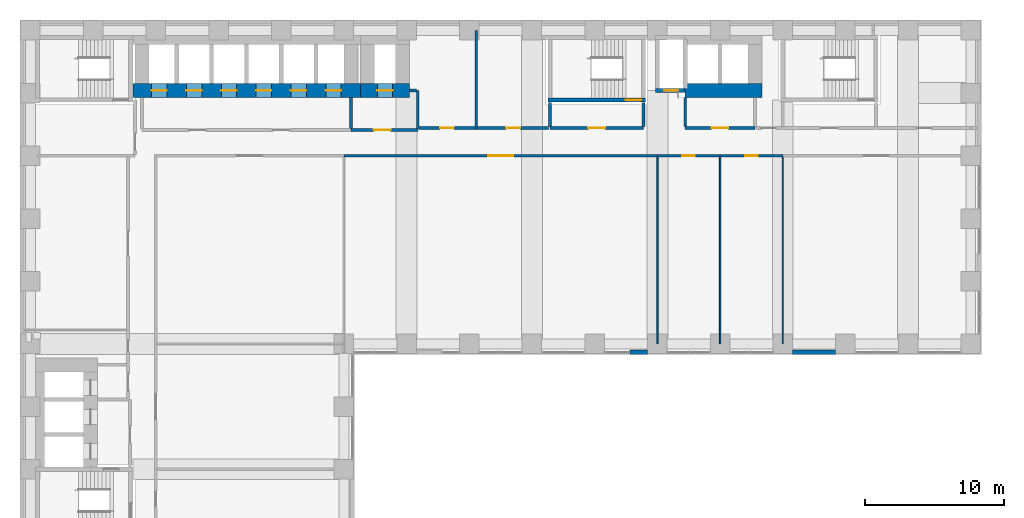
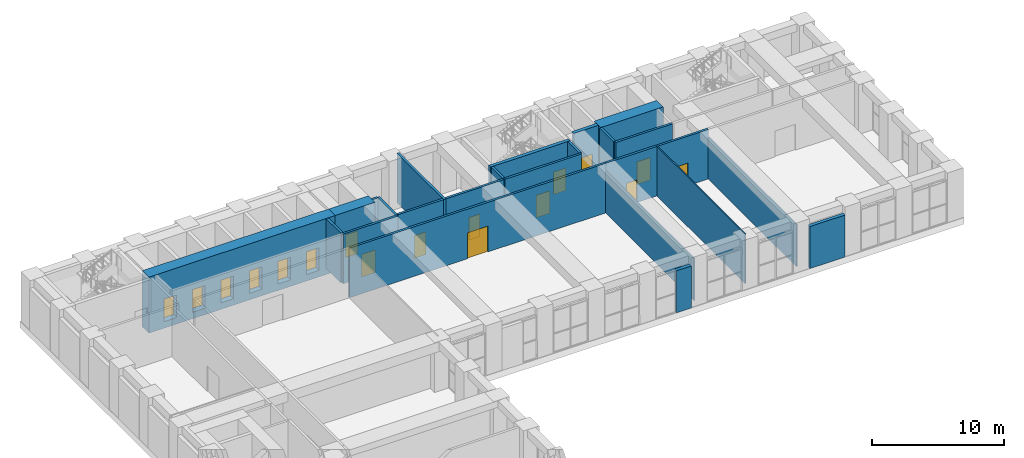
# One storey, part 17 of 30: 25 walls, 17 doors, 17 openings.
"""IFC4 building model written with IfcOpenShell, lengths in metres."""

from ifc_helpers import new_model, si_unit, direction, frame, frame_2d, origin, place, context, subcontext, project, spatial, rectangle, extrude, material, layer, layer_set, type_object, element, fill, save


model = new_model("IFC4")

# Units and contexts
model_context = context("Model", 3, precision=1e-05, world=origin(), true_north=direction((0.0, 1.0)))
body_context = subcontext(model_context, "Body", "Model", "MODEL_VIEW")
ifc_project = project(units=[si_unit("LENGTHUNIT", "METRE"), si_unit("AREAUNIT", "SQUARE_METRE"), si_unit("VOLUMEUNIT", "CUBIC_METRE"), si_unit("PLANEANGLEUNIT", "RADIAN"), si_unit("MASSUNIT", "GRAM", prefix="KILO")], contexts=[model_context])

# Site, building, storey
site_placement = place(None, origin())
site = spatial("IfcSite", under=ifc_project, at=site_placement, CompositionType="ELEMENT")
building_placement = place(site_placement, origin())
building = spatial("IfcBuilding", under=site, at=building_placement, Name="Firuza Court", CompositionType="ELEMENT")
storey_placement = place(building_placement, frame((0.0, 0.0, 9.0)))
storey = spatial("IfcBuildingStorey", under=building, at=storey_placement, Name="L01", CompositionType="ELEMENT", Elevation=9.0)

# Wall, openings, doors
ifc_material_1 = material(Name="Concrete C60/75", Category="concrete")
ifc_layer_1 = layer(ifc_material_1, 1.0)
ifc_layer_set_1 = layer_set([ifc_layer_1], Name="Concrete C60/75")
wall_type_1 = type_object("IfcWallType", Name="Core wall 1000 C60/75", PredefinedType="SHEAR", material=ifc_layer_set_1)
wall_1_placement = place(storey_placement, frame((7.35009765625, 54.199951171875, -0.60009765625), z_axis=(0.0, 0.0, 1.0), x_axis=(1.0, 0.0, 0.0)))
wall_1 = element("IfcWall", 1, at=wall_1_placement, inside=storey, type_object=wall_type_1, Name="Core wall lift shaft L01", PredefinedType="SHEAR", context=body_context, shape_type="SweptSolid", body=[
    extrude(rectangle(XDim=16.349853515625, YDim=1.0, at=frame_2d((8.1748046875, 0.0))), origin(), (0.0, 0.0, 1.0), 5.2001953125),
])
opening_1_placement = place(wall_1_placement, frame((1.35009765625, 0.0, 0.60009765625)))
opening_1 = element("IfcOpeningElement", 2, at=opening_1_placement, cuts=wall_1, Name="Opening LD-LB1-01", PredefinedType="OPENING", context=body_context, shape_type="SweptSolid", body=[
    extrude(rectangle(XDim=1.10009765625, YDim=2.10009765625, at=frame_2d((0.550048828125, 1.050048828125))), frame((0.0, 0.511962890625, 0.0), z_axis=(0.0, -1.0, 0.0), x_axis=(1.0, 0.0, 0.0)), (0.0, 0.0, 1.0), 1.02392578125),
])
opening_2_placement = place(wall_1_placement, frame((3.85009765625, 0.0, 0.60009765625)))
opening_2 = element("IfcOpeningElement", 3, at=opening_2_placement, cuts=wall_1, Name="Opening LD-LB2-01", PredefinedType="OPENING", context=body_context, shape_type="SweptSolid", body=[
    extrude(rectangle(XDim=1.10009765625, YDim=2.10009765625, at=frame_2d((0.550048828125, 1.050048828125))), frame((0.0, 0.511962890625, 0.0), z_axis=(0.0, -1.0, 0.0), x_axis=(1.0, 0.0, 0.0)), (0.0, 0.0, 1.0), 1.02392578125),
])
opening_3_placement = place(wall_1_placement, frame((6.35009765625, 0.0, 0.60009765625)))
opening_3 = element("IfcOpeningElement", 4, at=opening_3_placement, cuts=wall_1, Name="Opening LD-LB3-01", PredefinedType="OPENING", context=body_context, shape_type="SweptSolid", body=[
    extrude(rectangle(XDim=1.10009765625, YDim=2.10009765625, at=frame_2d((0.550048828125, 1.050048828125))), frame((0.0, 0.511962890625, 0.0), z_axis=(0.0, -1.0, 0.0), x_axis=(1.0, 0.0, 0.0)), (0.0, 0.0, 1.0), 1.02392578125),
])
opening_4_placement = place(wall_1_placement, frame((8.85009765625, 0.0, 0.60009765625)))
opening_4 = element("IfcOpeningElement", 5, at=opening_4_placement, cuts=wall_1, Name="Opening LD-LB4-01", PredefinedType="OPENING", context=body_context, shape_type="SweptSolid", body=[
    extrude(rectangle(XDim=1.10009765625, YDim=2.10009765625, at=frame_2d((0.550048828125, 1.050048828125))), frame((0.0, 0.511962890625, 0.0), z_axis=(0.0, -1.0, 0.0), x_axis=(1.0, 0.0, 0.0)), (0.0, 0.0, 1.0), 1.02392578125),
])
opening_5_placement = place(wall_1_placement, frame((11.35009765625, 0.0, 0.60009765625)))
opening_5 = element("IfcOpeningElement", 6, at=opening_5_placement, cuts=wall_1, Name="Opening LD-LB5-01", PredefinedType="OPENING", context=body_context, shape_type="SweptSolid", body=[
    extrude(rectangle(XDim=1.10009765625, YDim=2.10009765625, at=frame_2d((0.550048828125, 1.050048828125))), frame((0.0, 0.511962890625, 0.0), z_axis=(0.0, -1.0, 0.0), x_axis=(1.0, 0.0, 0.0)), (0.0, 0.0, 1.0), 1.02392578125),
])
opening_6_placement = place(wall_1_placement, frame((13.85009765625, 0.0, 0.60009765625)))
opening_6 = element("IfcOpeningElement", 7, at=opening_6_placement, cuts=wall_1, Name="Opening LD-LB6-01", PredefinedType="OPENING", context=body_context, shape_type="SweptSolid", body=[
    extrude(rectangle(XDim=1.10009765625, YDim=2.10009765625, at=frame_2d((0.550048828125, 1.050048828125))), frame((0.0, 0.511962890625, 0.0), z_axis=(0.0, -1.0, 0.0), x_axis=(1.0, 0.0, 0.0)), (0.0, 0.0, 1.0), 1.02392578125),
])
ifc_material_2 = material(Name="Stainless steel 1.4301 door leaf", Category="steel")
door_type_1 = type_object("IfcDoorType", Name="Lift landing door 1100", OperationType="SLIDING_TO_LEFT", PredefinedType="DOOR", material=ifc_material_2)
door_1_placement = place(opening_1_placement, origin())
door_1 = element("IfcDoor", 8, at=door_1_placement, inside=storey, type_object=door_type_1, Name="Landing door LB1", OperationType="SLIDING_TO_LEFT", OverallHeight=2.10009765625, OverallWidth=1.10009765625, PredefinedType="DOOR", context=body_context, shape_type="SweptSolid", body=[
    extrude(rectangle(XDim=1.10009765625, YDim=2.10009765625, at=frame_2d((0.550048828125, 1.050048828125))), frame((0.0, 0.02490234375, 0.0), z_axis=(0.0, -1.0, 0.0), x_axis=(1.0, 0.0, 0.0)), (0.0, 0.0, 1.0), 0.050048828125),
])
fill(opening_1, door_1)
door_2_placement = place(opening_2_placement, origin())
door_2 = element("IfcDoor", 9, at=door_2_placement, inside=storey, type_object=door_type_1, Name="Landing door LB2", OperationType="SLIDING_TO_LEFT", OverallHeight=2.10009765625, OverallWidth=1.10009765625, PredefinedType="DOOR", context=body_context, shape_type="SweptSolid", body=[
    extrude(rectangle(XDim=1.10009765625, YDim=2.10009765625, at=frame_2d((0.550048828125, 1.050048828125))), frame((0.0, 0.02490234375, 0.0), z_axis=(0.0, -1.0, 0.0), x_axis=(1.0, 0.0, 0.0)), (0.0, 0.0, 1.0), 0.050048828125),
])
fill(opening_2, door_2)
door_3_placement = place(opening_3_placement, origin())
door_3 = element("IfcDoor", 10, at=door_3_placement, inside=storey, type_object=door_type_1, Name="Landing door LB3", OperationType="SLIDING_TO_LEFT", OverallHeight=2.10009765625, OverallWidth=1.10009765625, PredefinedType="DOOR", context=body_context, shape_type="SweptSolid", body=[
    extrude(rectangle(XDim=1.10009765625, YDim=2.10009765625, at=frame_2d((0.550048828125, 1.050048828125))), frame((0.0, 0.02490234375, 0.0), z_axis=(0.0, -1.0, 0.0), x_axis=(1.0, 0.0, 0.0)), (0.0, 0.0, 1.0), 0.050048828125),
])
fill(opening_3, door_3)
door_4_placement = place(opening_4_placement, origin())
door_4 = element("IfcDoor", 11, at=door_4_placement, inside=storey, type_object=door_type_1, Name="Landing door LB4", OperationType="SLIDING_TO_LEFT", OverallHeight=2.10009765625, OverallWidth=1.10009765625, PredefinedType="DOOR", context=body_context, shape_type="SweptSolid", body=[
    extrude(rectangle(XDim=1.10009765625, YDim=2.10009765625, at=frame_2d((0.550048828125, 1.050048828125))), frame((0.0, 0.02490234375, 0.0), z_axis=(0.0, -1.0, 0.0), x_axis=(1.0, 0.0, 0.0)), (0.0, 0.0, 1.0), 0.050048828125),
])
fill(opening_4, door_4)
door_5_placement = place(opening_5_placement, origin())
door_5 = element("IfcDoor", 12, at=door_5_placement, inside=storey, type_object=door_type_1, Name="Landing door LB5", OperationType="SLIDING_TO_LEFT", OverallHeight=2.10009765625, OverallWidth=1.10009765625, PredefinedType="DOOR", context=body_context, shape_type="SweptSolid", body=[
    extrude(rectangle(XDim=1.10009765625, YDim=2.10009765625, at=frame_2d((0.550048828125, 1.050048828125))), frame((0.0, 0.02490234375, 0.0), z_axis=(0.0, -1.0, 0.0), x_axis=(1.0, 0.0, 0.0)), (0.0, 0.0, 1.0), 0.050048828125),
])
fill(opening_5, door_5)
door_6_placement = place(opening_6_placement, origin())
door_6 = element("IfcDoor", 13, at=door_6_placement, inside=storey, type_object=door_type_1, Name="Landing door LB6", OperationType="SLIDING_TO_LEFT", OverallHeight=2.10009765625, OverallWidth=1.10009765625, PredefinedType="DOOR", context=body_context, shape_type="SweptSolid", body=[
    extrude(rectangle(XDim=1.10009765625, YDim=2.10009765625, at=frame_2d((0.550048828125, 1.050048828125))), frame((0.0, 0.02490234375, 0.0), z_axis=(0.0, -1.0, 0.0), x_axis=(1.0, 0.0, 0.0)), (0.0, 0.0, 1.0), 0.050048828125),
])
fill(opening_6, door_6)

# Wall, opening, door
wall_2_placement = place(storey_placement, frame((23.699951171875, 54.199951171875, -0.60009765625), z_axis=(0.0, 0.0, 1.0), x_axis=(1.0, 0.0, 0.0)))
wall_2 = element("IfcWall", 14, at=wall_2_placement, inside=storey, type_object=wall_type_1, Name="Core wall lift shaft L01", PredefinedType="SHEAR", context=body_context, shape_type="SweptSolid", body=[
    extrude(rectangle(XDim=3.5, YDim=1.0, at=frame_2d((1.75, 0.0))), origin(), (0.0, 0.0, 1.0), 5.2001953125),
])
opening_7_placement = place(wall_2_placement, frame((1.199951171875, 0.0, 0.60009765625)))
opening_7 = element("IfcOpeningElement", 15, at=opening_7_placement, cuts=wall_2, Name="Opening LD-FL3-01", PredefinedType="OPENING", context=body_context, shape_type="SweptSolid", body=[
    extrude(rectangle(XDim=1.10009765625, YDim=2.10009765625, at=frame_2d((0.550048828125, 1.050048828125))), frame((0.0, 0.511962890625, 0.0), z_axis=(0.0, -1.0, 0.0), x_axis=(1.0, 0.0, 0.0)), (0.0, 0.0, 1.0), 1.02392578125),
])
door_7_placement = place(opening_7_placement, origin())
door_7 = element("IfcDoor", 16, at=door_7_placement, inside=storey, type_object=door_type_1, Name="Landing door FL3", OperationType="SLIDING_TO_LEFT", OverallHeight=2.10009765625, OverallWidth=1.10009765625, PredefinedType="DOOR", context=body_context, shape_type="SweptSolid", body=[
    extrude(rectangle(XDim=1.10009765625, YDim=2.10009765625, at=frame_2d((0.550048828125, 1.050048828125))), frame((0.0, 0.02490234375, 0.0), z_axis=(0.0, -1.0, 0.0), x_axis=(1.0, 0.0, 0.0)), (0.0, 0.0, 1.0), 0.050048828125),
])
fill(opening_7, door_7)

# Wall
wall_3_placement = place(storey_placement, frame((47.0, 54.199951171875, -0.60009765625), z_axis=(0.0, 0.0, 1.0), x_axis=(1.0, 0.0, 0.0)))
element("IfcWall", 17, at=wall_3_placement, inside=storey, type_object=wall_type_1, Name="Core wall lift shaft L01", PredefinedType="SHEAR", context=body_context, shape_type="SweptSolid", body=[
    extrude(rectangle(XDim=5.5, YDim=1.0, at=frame_2d((2.75, 0.0))), origin(), (0.0, 0.0, 1.0), 5.2001953125),
])

# Wall, opening, door
ifc_layer_2 = layer(ifc_material_1, 0.300048828125)
ifc_layer_set_2 = layer_set([ifc_layer_2], Name="Concrete C60/75")
wall_type_2 = type_object("IfcWallType", Name="Core wall 300 C60/75", PredefinedType="SHEAR", material=ifc_layer_set_2)
wall_4_placement = place(storey_placement, frame((37.14990234375, 53.5, -0.60009765625), z_axis=(0.0, 0.0, 1.0), x_axis=(1.0, 0.0, 0.0)))
wall_4 = element("IfcWall", 18, at=wall_4_placement, inside=storey, type_object=wall_type_2, Name="Core wall stair L01", PredefinedType="SHEAR", context=body_context, shape_type="SweptSolid", body=[
    extrude(rectangle(XDim=7.0, YDim=0.300048828125, at=frame_2d((3.5, 0.0))), origin(), (0.0, 0.0, 1.0), 5.2001953125),
])
opening_8_placement = place(wall_4_placement, frame((5.580078125, 0.0, 0.60009765625)))
opening_8 = element("IfcOpeningElement", 19, at=opening_8_placement, cuts=wall_4, Name="Opening D01013", PredefinedType="OPENING", context=body_context, shape_type="SweptSolid", body=[
    extrude(rectangle(XDim=1.10009765625, YDim=2.10009765625, at=frame_2d((0.550048828125, 1.050048828125))), frame((0.0, 0.162109375, 0.0), z_axis=(0.0, -1.0, 0.0), x_axis=(1.0, 0.0, 0.0)), (0.0, 0.0, 1.0), 0.323974609375),
])
ifc_material_3 = material(Name="Timber door leaf in hardwood frame", Category="wood")
door_type_2 = type_object("IfcDoorType", Name="Stair door 1100", OperationType="SINGLE_SWING_LEFT", PredefinedType="DOOR", material=ifc_material_3)
door_8_placement = place(opening_8_placement, origin())
door_8 = element("IfcDoor", 20, at=door_8_placement, inside=storey, type_object=door_type_2, Name="Stair door S1", OperationType="SINGLE_SWING_RIGHT", OverallHeight=2.10009765625, OverallWidth=1.10009765625, PredefinedType="DOOR", context=body_context, shape_type="SweptSolid", body=[
    extrude(rectangle(XDim=1.10009765625, YDim=2.10009765625, at=frame_2d((0.550048828125, 1.050048828125))), frame((0.0, 0.02490234375, 0.0), z_axis=(0.0, -1.0, 0.0), x_axis=(1.0, 0.0, 0.0)), (0.0, 0.0, 1.0), 0.050048828125),
])
fill(opening_8, door_8)

wall_5_placement = place(storey_placement, frame((44.85009765625, 54.199951171875, -0.60009765625), z_axis=(0.0, 0.0, 1.0), x_axis=(1.0, 0.0, 0.0)))
wall_5 = element("IfcWall", 21, at=wall_5_placement, inside=storey, type_object=wall_type_2, Name="Core wall riser L01", PredefinedType="SHEAR", context=body_context, shape_type="SweptSolid", body=[
    extrude(rectangle(XDim=2.14990234375, YDim=0.300048828125, at=frame_2d((1.074951171875, 0.0))), origin(), (0.0, 0.0, 1.0), 5.2001953125),
])
opening_9_placement = place(wall_5_placement, frame((0.64990234375, 0.0, 0.60009765625)))
opening_9 = element("IfcOpeningElement", 22, at=opening_9_placement, cuts=wall_5, Name="Opening D01011", PredefinedType="OPENING", context=body_context, shape_type="SweptSolid", body=[
    extrude(rectangle(XDim=1.0, YDim=2.10009765625, at=frame_2d((0.5, 1.050048828125))), frame((0.0, 0.162109375, 0.0), z_axis=(0.0, -1.0, 0.0), x_axis=(1.0, 0.0, 0.0)), (0.0, 0.0, 1.0), 0.323974609375),
])
ifc_material_4 = material(Name="Timber door leaf in hardwood frame", Category="wood")
door_type_3 = type_object("IfcDoorType", Name="Riser door 1000", OperationType="SINGLE_SWING_LEFT", PredefinedType="DOOR", material=ifc_material_4)
door_9_placement = place(opening_9_placement, frame((1.0, 0.0, 0.0), z_axis=(0.0, 0.0, 1.0), x_axis=(-1.0, 0.0, 0.0)))
door_9 = element("IfcDoor", 23, at=door_9_placement, inside=storey, type_object=door_type_3, Name="Riser door R3", OperationType="SINGLE_SWING_RIGHT", OverallHeight=2.10009765625, OverallWidth=1.0, PredefinedType="DOOR", context=body_context, shape_type="SweptSolid", body=[
    extrude(rectangle(XDim=1.0, YDim=2.10009765625, at=frame_2d((0.5, 1.050048828125))), frame((0.0, 0.02490234375, 0.0), z_axis=(0.0, -1.0, 0.0), x_axis=(1.0, 0.0, 0.0)), (0.0, 0.0, 1.0), 0.050048828125),
])
fill(opening_9, door_9)

ifc_material_5 = material(Name="Blockwork, plastered both sides", Category="masonry")
ifc_layer_3 = layer(ifc_material_5, 0.199951171875)
ifc_layer_set_3 = layer_set([ifc_layer_3], Name="Blockwork, plastered both sides")
wall_type_3 = type_object("IfcWallType", Name="Corridor wall 200", PredefinedType="PARTITIONING", material=ifc_layer_set_3)
wall_6_placement = place(storey_placement, frame((22.5, 49.5, 0.0), z_axis=(0.0, 0.0, 1.0), x_axis=(1.0, 0.0, 0.0)))
wall_6 = element("IfcWall", 24, at=wall_6_placement, inside=storey, type_object=wall_type_3, Name="Corridor wall 200 L01", PredefinedType="PARTITIONING", context=body_context, shape_type="SweptSolid", body=[
    extrude(rectangle(XDim=22.5, YDim=0.199951171875, at=frame_2d((11.25, 0.0))), origin(), (0.0, 0.0, 1.0), 4.60009765625),
])
opening_10_placement = place(wall_6_placement, frame((10.35009765625, 0.0, 0.0)))
opening_10 = element("IfcOpeningElement", 25, at=opening_10_placement, cuts=wall_6, Name="Opening D01030", PredefinedType="OPENING", context=body_context, shape_type="SweptSolid", body=[
    extrude(rectangle(XDim=1.800048828125, YDim=2.39990234375, at=frame_2d((0.89990234375, 1.199951171875))), frame((0.0, 0.11181640625, 0.0), z_axis=(0.0, -1.0, 0.0), x_axis=(1.0, 0.0, 0.0)), (0.0, 0.0, 1.0), 0.223876953125),
])
ifc_material_6 = material(Name="Timber door leaf in hardwood frame", Category="wood")
door_type_4 = type_object("IfcDoorType", Name="Double door 1800 EI 30", OperationType="DOUBLE_DOOR_SINGLE_SWING", PredefinedType="DOOR", material=ifc_material_6)
door_10_placement = place(opening_10_placement, origin())
door_10 = element("IfcDoor", 26, at=door_10_placement, inside=storey, type_object=door_type_4, Name="Double door", OperationType="DOUBLE_DOOR_SINGLE_SWING", OverallHeight=2.39990234375, OverallWidth=1.800048828125, PredefinedType="DOOR", context=body_context, shape_type="SweptSolid", body=[
    extrude(rectangle(XDim=1.800048828125, YDim=2.39990234375, at=frame_2d((0.89990234375, 1.199951171875))), frame((0.0, 0.02490234375, 0.0), z_axis=(0.0, -1.0, 0.0), x_axis=(1.0, 0.0, 0.0)), (0.0, 0.0, 1.0), 0.050048828125),
])
fill(opening_10, door_10)

wall_7_placement = place(storey_placement, frame((45.0, 49.5, 0.0), z_axis=(0.0, 0.0, 1.0), x_axis=(1.0, 0.0, 0.0)))
wall_7 = element("IfcWall", 27, at=wall_7_placement, inside=storey, type_object=wall_type_3, Name="Corridor wall 200 L01", PredefinedType="PARTITIONING", context=body_context, shape_type="SweptSolid", body=[
    extrude(rectangle(XDim=4.5, YDim=0.199951171875, at=frame_2d((2.25, 0.0))), origin(), (0.0, 0.0, 1.0), 4.60009765625),
])
opening_11_placement = place(wall_7_placement, frame((1.800048828125, 0.0, 0.0)))
opening_11 = element("IfcOpeningElement", 28, at=opening_11_placement, cuts=wall_7, Name="Opening D01031", PredefinedType="OPENING", context=body_context, shape_type="SweptSolid", body=[
    extrude(rectangle(XDim=0.89990234375, YDim=2.10009765625, at=frame_2d((0.449951171875, 1.050048828125))), frame((0.0, 0.11181640625, 0.0), z_axis=(0.0, -1.0, 0.0), x_axis=(1.0, 0.0, 0.0)), (0.0, 0.0, 1.0), 0.223876953125),
])
ifc_material_7 = material(Name="Timber door leaf in hardwood frame", Category="wood")
door_type_5 = type_object("IfcDoorType", Name="Room door 900 EI 30", OperationType="SINGLE_SWING_LEFT", PredefinedType="DOOR", material=ifc_material_7)
door_11_placement = place(opening_11_placement, frame((0.89990234375, 0.0, 0.0), z_axis=(0.0, 0.0, 1.0), x_axis=(-1.0, 0.0, 0.0)))
door_11 = element("IfcDoor", 29, at=door_11_placement, inside=storey, type_object=door_type_5, Name="Room door", OperationType="SINGLE_SWING_RIGHT", OverallHeight=2.10009765625, OverallWidth=0.89990234375, PredefinedType="DOOR", context=body_context, shape_type="SweptSolid", body=[
    extrude(rectangle(XDim=0.89990234375, YDim=2.10009765625, at=frame_2d((0.449951171875, 1.050048828125))), frame((0.0, 0.02490234375, 0.0), z_axis=(0.0, -1.0, 0.0), x_axis=(1.0, 0.0, 0.0)), (0.0, 0.0, 1.0), 0.050048828125),
])
fill(opening_11, door_11)

wall_8_placement = place(storey_placement, frame((49.5, 49.5, 0.0), z_axis=(0.0, 0.0, 1.0), x_axis=(1.0, 0.0, 0.0)))
wall_8 = element("IfcWall", 30, at=wall_8_placement, inside=storey, type_object=wall_type_3, Name="Corridor wall 200 L01", PredefinedType="PARTITIONING", context=body_context, shape_type="SweptSolid", body=[
    extrude(rectangle(XDim=4.5, YDim=0.199951171875, at=frame_2d((2.25, 0.0))), origin(), (0.0, 0.0, 1.0), 4.60009765625),
])
opening_12_placement = place(wall_8_placement, frame((1.800048828125, 0.0, 0.0)))
opening_12 = element("IfcOpeningElement", 31, at=opening_12_placement, cuts=wall_8, Name="Opening D01032", PredefinedType="OPENING", context=body_context, shape_type="SweptSolid", body=[
    extrude(rectangle(XDim=0.89990234375, YDim=2.10009765625, at=frame_2d((0.449951171875, 1.050048828125))), frame((0.0, 0.11181640625, 0.0), z_axis=(0.0, -1.0, 0.0), x_axis=(1.0, 0.0, 0.0)), (0.0, 0.0, 1.0), 0.223876953125),
])
door_12_placement = place(opening_12_placement, frame((0.89990234375, 0.0, 0.0), z_axis=(0.0, 0.0, 1.0), x_axis=(-1.0, 0.0, 0.0)))
door_12 = element("IfcDoor", 32, at=door_12_placement, inside=storey, type_object=door_type_5, Name="Room door", OperationType="SINGLE_SWING_RIGHT", OverallHeight=2.10009765625, OverallWidth=0.89990234375, PredefinedType="DOOR", context=body_context, shape_type="SweptSolid", body=[
    extrude(rectangle(XDim=0.89990234375, YDim=2.10009765625, at=frame_2d((0.449951171875, 1.050048828125))), frame((0.0, 0.02490234375, 0.0), z_axis=(0.0, -1.0, 0.0), x_axis=(1.0, 0.0, 0.0)), (0.0, 0.0, 1.0), 0.050048828125),
])
fill(opening_12, door_12)

# Walls
ifc_material_8 = material(Name="Timber stud partition, plasterboard both sides", Category="wood")
ifc_layer_4 = layer(ifc_material_8, 0.10009765625)
ifc_layer_set_4 = layer_set([ifc_layer_4], Name="Timber stud partition, plasterboard both sides")
wall_type_4 = type_object("IfcWallType", Name="Partition wall 100", PredefinedType="PARTITIONING", material=ifc_layer_set_4)
wall_9_placement = place(storey_placement, frame((45.0, 49.39990234375, 0.0), z_axis=(0.0, 0.0, 1.0), x_axis=(0.0, -1.0, 0.0)))
element("IfcWall", 33, at=wall_9_placement, inside=storey, type_object=wall_type_4, Name="Partition wall 100 L01", PredefinedType="PARTITIONING", context=body_context, shape_type="SweptSolid", body=[
    extrude(rectangle(XDim=13.39990234375, YDim=0.10009765625, at=frame_2d((6.699951171875, 0.0))), origin(), (0.0, 0.0, 1.0), 3.89990234375),
])
wall_10_placement = place(storey_placement, frame((49.5, 49.39990234375, 0.0), z_axis=(0.0, 0.0, 1.0), x_axis=(0.0, -1.0, 0.0)))
element("IfcWall", 34, at=wall_10_placement, inside=storey, type_object=wall_type_4, Name="Partition wall 100 L01", PredefinedType="PARTITIONING", context=body_context, shape_type="SweptSolid", body=[
    extrude(rectangle(XDim=13.39990234375, YDim=0.10009765625, at=frame_2d((6.699951171875, 0.0))), origin(), (0.0, 0.0, 1.0), 4.60009765625),
])
wall_11_placement = place(storey_placement, frame((54.0, 49.39990234375, 0.0), z_axis=(0.0, 0.0, 1.0), x_axis=(0.0, -1.0, 0.0)))
element("IfcWall", 35, at=wall_11_placement, inside=storey, type_object=wall_type_4, Name="Partition wall 100 L01", PredefinedType="PARTITIONING", context=body_context, shape_type="SweptSolid", body=[
    extrude(rectangle(XDim=13.39990234375, YDim=0.10009765625, at=frame_2d((6.699951171875, 0.0))), origin(), (0.0, 0.0, 1.0), 3.89990234375),
])

# Wall, opening, door
ifc_material_9 = material(Name="Blockwork, fire-rated", Category="masonry")
ifc_layer_5 = layer(ifc_material_9, 0.199951171875)
ifc_layer_set_5 = layer_set([ifc_layer_5], Name="Blockwork, fire-rated")
wall_type_5 = type_object("IfcWallType", Name="Plant room wall 200", PredefinedType="PARTITIONING", material=ifc_layer_set_5)
wall_12_placement = place(storey_placement, frame((31.89990234375, 51.5, 0.0), z_axis=(0.0, 0.0, 1.0), x_axis=(-1.0, 0.0, 0.0)))
wall_12 = element("IfcWall", 36, at=wall_12_placement, inside=storey, type_object=wall_type_5, Name="Plant room wall 200 L01", PredefinedType="PARTITIONING", context=body_context, shape_type="SweptSolid", body=[
    extrude(rectangle(XDim=4.0, YDim=0.199951171875, at=frame_2d((2.0, 0.0))), origin(), (0.0, 0.0, 1.0), 4.60009765625),
])
opening_13_placement = place(wall_12_placement, frame((1.5, 0.0, 0.0)))
opening_13 = element("IfcOpeningElement", 37, at=opening_13_placement, cuts=wall_12, Name="Opening D01034", PredefinedType="OPENING", context=body_context, shape_type="SweptSolid", body=[
    extrude(rectangle(XDim=1.0, YDim=2.10009765625, at=frame_2d((0.5, 1.050048828125))), frame((0.0, 0.11181640625, 0.0), z_axis=(0.0, -1.0, 0.0), x_axis=(1.0, 0.0, 0.0)), (0.0, 0.0, 1.0), 0.223876953125),
])
ifc_material_10 = material(Name="Timber door leaf in hardwood frame", Category="wood")
door_type_6 = type_object("IfcDoorType", Name="Store door 1000", OperationType="SINGLE_SWING_LEFT", PredefinedType="DOOR", material=ifc_material_10)
door_13_placement = place(opening_13_placement, frame((1.0, 0.0, 0.0), z_axis=(0.0, 0.0, 1.0), x_axis=(-1.0, 0.0, 0.0)))
door_13 = element("IfcDoor", 38, at=door_13_placement, inside=storey, type_object=door_type_6, Name="Store door", OperationType="SINGLE_SWING_RIGHT", OverallHeight=2.10009765625, OverallWidth=1.0, PredefinedType="DOOR", context=body_context, shape_type="SweptSolid", body=[
    extrude(rectangle(XDim=1.0, YDim=2.10009765625, at=frame_2d((0.5, 1.050048828125))), frame((0.0, 0.02490234375, 0.0), z_axis=(0.0, -1.0, 0.0), x_axis=(1.0, 0.0, 0.0)), (0.0, 0.0, 1.0), 0.050048828125),
])
fill(opening_13, door_13)

wall_13_placement = place(storey_placement, frame((37.199951171875, 51.5, 0.0), z_axis=(0.0, 0.0, 1.0), x_axis=(-1.0, 0.0, 0.0)))
wall_13 = element("IfcWall", 39, at=wall_13_placement, inside=storey, type_object=wall_type_5, Name="Plant room wall 200 L01", PredefinedType="PARTITIONING", context=body_context, shape_type="SweptSolid", body=[
    extrude(rectangle(XDim=5.099853515625, YDim=0.199951171875, at=frame_2d((2.5498046875, 0.0))), origin(), (0.0, 0.0, 1.0), 4.60009765625),
])
opening_14_placement = place(wall_13_placement, frame((2.050048828125, 0.0, 0.0)))
opening_14 = element("IfcOpeningElement", 40, at=opening_14_placement, cuts=wall_13, Name="Opening D01035", PredefinedType="OPENING", context=body_context, shape_type="SweptSolid", body=[
    extrude(rectangle(XDim=1.0, YDim=2.10009765625, at=frame_2d((0.5, 1.050048828125))), frame((0.0, 0.11181640625, 0.0), z_axis=(0.0, -1.0, 0.0), x_axis=(1.0, 0.0, 0.0)), (0.0, 0.0, 1.0), 0.223876953125),
])
door_14_placement = place(opening_14_placement, frame((1.0, 0.0, 0.0), z_axis=(0.0, 0.0, 1.0), x_axis=(-1.0, 0.0, 0.0)))
door_14 = element("IfcDoor", 41, at=door_14_placement, inside=storey, type_object=door_type_6, Name="Store door", OperationType="SINGLE_SWING_RIGHT", OverallHeight=2.10009765625, OverallWidth=1.0, PredefinedType="DOOR", context=body_context, shape_type="SweptSolid", body=[
    extrude(rectangle(XDim=1.0, YDim=2.10009765625, at=frame_2d((0.5, 1.050048828125))), frame((0.0, 0.02490234375, 0.0), z_axis=(0.0, -1.0, 0.0), x_axis=(1.0, 0.0, 0.0)), (0.0, 0.0, 1.0), 0.050048828125),
])
fill(opening_14, door_14)

# Walls
wall_14_placement = place(storey_placement, frame((32.0, 58.5, 0.0), z_axis=(0.0, 0.0, 1.0), x_axis=(0.0, -1.0, 0.0)))
element("IfcWall", 42, at=wall_14_placement, inside=storey, type_object=wall_type_5, Name="Plant room wall 200 L01", PredefinedType="PARTITIONING", context=body_context, shape_type="SweptSolid", body=[
    extrude(rectangle(XDim=7.10009765625, YDim=0.199951171875, at=frame_2d((3.550048828125, 0.0))), origin(), (0.0, 0.0, 1.0), 4.60009765625),
])
ifc_material_11 = material(Name="Ceramic tile", Category="ceramic")
ifc_layer_6 = layer(ifc_material_11, 0.02001953125)
ifc_material_12 = material(Name="Mineral wool insulation", Category="insulation")
ifc_layer_7 = layer(ifc_material_12, 0.1298828125)
ifc_material_13 = material(Name="Concrete C40/50 precast", Category="concrete")
ifc_layer_8 = layer(ifc_material_13, 0.14990234375)
ifc_layer_set_6 = layer_set([ifc_layer_6, ifc_layer_7, ifc_layer_8], Name="Concrete C40/50 precast")
wall_type_6 = type_object("IfcWallType", Name="Precast spandrel wall with turquoise TILE PANEL face 300", PredefinedType="STANDARD", material=ifc_layer_set_6)
wall_15_placement = place(storey_placement, frame((43.02490234375, 35.39990234375, 0.0), z_axis=(0.0, 0.0, 1.0), x_axis=(1.0, 0.0, 0.0)))
element("IfcWall", 43, at=wall_15_placement, inside=storey, type_object=wall_type_6, Name="Facade wall L01 S", PredefinedType="STANDARD", context=body_context, shape_type="SweptSolid", body=[
    extrude(rectangle(XDim=1.275146484375, YDim=0.300048828125, at=frame_2d((0.6376953125, 0.0))), origin(), (0.0, 0.0, 1.0), 3.89990234375),
])
wall_16_placement = place(storey_placement, frame((54.699951171875, 35.39990234375, 0.0), z_axis=(0.0, 0.0, 1.0), x_axis=(1.0, 0.0, 0.0)))
element("IfcWall", 44, at=wall_16_placement, inside=storey, type_object=wall_type_6, Name="Facade wall L01 S", PredefinedType="STANDARD", context=body_context, shape_type="SweptSolid", body=[
    extrude(rectangle(XDim=3.10009765625, YDim=0.300048828125, at=frame_2d((1.550048828125, 0.0))), origin(), (0.0, 0.0, 1.0), 3.89990234375),
])
ifc_layer_9 = layer(ifc_material_9, 0.199951171875)
ifc_layer_set_7 = layer_set([ifc_layer_9], Name="Blockwork, fire-rated")
wall_type_7 = type_object("IfcWallType", Name="Shaft wall 200", PredefinedType="PARTITIONING", material=ifc_layer_set_7)
wall_17_placement = place(storey_placement, frame((23.0, 51.449951171875, 0.0), z_axis=(0.0, 0.0, 1.0), x_axis=(0.0, 1.0, 0.0)))
element("IfcWall", 45, at=wall_17_placement, inside=storey, type_object=wall_type_7, Name="Shaft wall 200 L01", PredefinedType="PARTITIONING", context=body_context, shape_type="SweptSolid", body=[
    extrude(rectangle(XDim=2.22998046875, YDim=0.199951171875, at=frame_2d((1.114990234375, 0.0))), origin(), (0.0, 0.0, 1.0), 4.60009765625),
])

# Wall, opening, door
wall_18_placement = place(storey_placement, frame((47.0, 51.5, 0.0), z_axis=(0.0, 0.0, 1.0), x_axis=(1.0, 0.0, 0.0)))
wall_18 = element("IfcWall", 46, at=wall_18_placement, inside=storey, type_object=wall_type_7, Name="Shaft wall 200 L01", PredefinedType="PARTITIONING", context=body_context, shape_type="SweptSolid", body=[
    extrude(rectangle(XDim=5.0, YDim=0.199951171875, at=frame_2d((2.5, 0.0))), origin(), (0.0, 0.0, 1.0), 4.60009765625),
])
opening_15_placement = place(wall_18_placement, frame((1.89990234375, 0.0, 0.0)))
opening_15 = element("IfcOpeningElement", 47, at=opening_15_placement, cuts=wall_18, Name="Opening D01009", PredefinedType="OPENING", context=body_context, shape_type="SweptSolid", body=[
    extrude(rectangle(XDim=1.199951171875, YDim=2.10009765625, at=frame_2d((0.60009765625, 1.050048828125))), frame((0.0, 0.11181640625, 0.0), z_axis=(0.0, -1.0, 0.0), x_axis=(1.0, 0.0, 0.0)), (0.0, 0.0, 1.0), 0.223876953125),
])
ifc_material_14 = material(Name="Timber door leaf in hardwood frame", Category="wood")
door_type_7 = type_object("IfcDoorType", Name="Lobby door 1200", OperationType="SINGLE_SWING_LEFT", PredefinedType="DOOR", material=ifc_material_14)
door_15_placement = place(opening_15_placement, origin())
door_15 = element("IfcDoor", 48, at=door_15_placement, inside=storey, type_object=door_type_7, Name="Lobby door", OperationType="SINGLE_SWING_LEFT", OverallHeight=2.10009765625, OverallWidth=1.199951171875, PredefinedType="DOOR", context=body_context, shape_type="SweptSolid", body=[
    extrude(rectangle(XDim=1.199951171875, YDim=2.10009765625, at=frame_2d((0.60009765625, 1.050048828125))), frame((0.0, 0.02490234375, 0.0), z_axis=(0.0, -1.0, 0.0), x_axis=(1.0, 0.0, 0.0)), (0.0, 0.0, 1.0), 0.050048828125),
])
fill(opening_15, door_15)

# Wall
wall_19_placement = place(storey_placement, frame((47.0, 51.60009765625, 0.0), z_axis=(0.0, 0.0, 1.0), x_axis=(0.0, 1.0, 0.0)))
element("IfcWall", 49, at=wall_19_placement, inside=storey, type_object=wall_type_7, Name="Shaft wall 200 L01", PredefinedType="PARTITIONING", context=body_context, shape_type="SweptSolid", body=[
    extrude(rectangle(XDim=2.079833984375, YDim=0.199951171875, at=frame_2d((1.0400390625, 0.0))), origin(), (0.0, 0.0, 1.0), 4.60009765625),
])

# Wall, opening, door
wall_20_placement = place(storey_placement, frame((23.0, 51.35009765625, 0.0), z_axis=(0.0, 0.0, 1.0), x_axis=(1.0, 0.0, 0.0)))
wall_20 = element("IfcWall", 50, at=wall_20_placement, inside=storey, type_object=wall_type_7, Name="Shaft wall 200 L01", PredefinedType="PARTITIONING", context=body_context, shape_type="SweptSolid", body=[
    extrude(rectangle(XDim=4.800048828125, YDim=0.199951171875, at=frame_2d((2.39990234375, 0.0))), origin(), (0.0, 0.0, 1.0), 4.60009765625),
])
opening_16_placement = place(wall_20_placement, frame((1.64990234375, 0.0, 0.0)))
opening_16 = element("IfcOpeningElement", 51, at=opening_16_placement, cuts=wall_20, Name="Opening D01003", PredefinedType="OPENING", context=body_context, shape_type="SweptSolid", body=[
    extrude(rectangle(XDim=1.199951171875, YDim=2.10009765625, at=frame_2d((0.60009765625, 1.050048828125))), frame((0.0, 0.11181640625, 0.0), z_axis=(0.0, -1.0, 0.0), x_axis=(1.0, 0.0, 0.0)), (0.0, 0.0, 1.0), 0.223876953125),
])
door_16_placement = place(opening_16_placement, origin())
door_16 = element("IfcDoor", 52, at=door_16_placement, inside=storey, type_object=door_type_7, Name="Fire-fighting lobby door", OperationType="SINGLE_SWING_LEFT", OverallHeight=2.10009765625, OverallWidth=1.199951171875, PredefinedType="DOOR", context=body_context, shape_type="SweptSolid", body=[
    extrude(rectangle(XDim=1.199951171875, YDim=2.10009765625, at=frame_2d((0.60009765625, 1.050048828125))), frame((0.0, 0.02490234375, 0.0), z_axis=(0.0, -1.0, 0.0), x_axis=(1.0, 0.0, 0.0)), (0.0, 0.0, 1.0), 0.050048828125),
])
fill(opening_16, door_16)

# Walls
wall_21_placement = place(storey_placement, frame((27.800048828125, 51.449951171875, 0.0), z_axis=(0.0, 0.0, 1.0), x_axis=(0.0, 1.0, 0.0)))
element("IfcWall", 53, at=wall_21_placement, inside=storey, type_object=wall_type_7, Name="Shaft wall 200 L01", PredefinedType="PARTITIONING", context=body_context, shape_type="SweptSolid", body=[
    extrude(rectangle(XDim=2.75, YDim=0.199951171875, at=frame_2d((1.375, 0.0))), origin(), (0.0, 0.0, 1.0), 4.60009765625),
])
wall_22_placement = place(storey_placement, frame((27.199951171875, 54.199951171875, 0.0), z_axis=(0.0, 0.0, 1.0), x_axis=(1.0, 0.0, 0.0)))
element("IfcWall", 54, at=wall_22_placement, inside=storey, type_object=wall_type_7, Name="Shaft wall 200 L01", PredefinedType="PARTITIONING", context=body_context, shape_type="SweptSolid", body=[
    extrude(rectangle(XDim=0.5, YDim=0.199951171875, at=frame_2d((0.25, 0.0))), origin(), (0.0, 0.0, 1.0), 4.60009765625),
])

# Wall, opening, door
wall_23_placement = place(storey_placement, frame((37.300048828125, 51.5, 0.0), z_axis=(0.0, 0.0, 1.0), x_axis=(1.0, 0.0, 0.0)))
wall_23 = element("IfcWall", 55, at=wall_23_placement, inside=storey, type_object=wall_type_7, Name="Shaft wall 200 L01", PredefinedType="PARTITIONING", context=body_context, shape_type="SweptSolid", body=[
    extrude(rectangle(XDim=6.699951171875, YDim=0.199951171875, at=frame_2d((3.35009765625, 0.0))), origin(), (0.0, 0.0, 1.0), 4.60009765625),
])
opening_17_placement = place(wall_23_placement, frame((2.75, 0.0, 0.0)))
opening_17 = element("IfcOpeningElement", 56, at=opening_17_placement, cuts=wall_23, Name="Opening D01006", PredefinedType="OPENING", context=body_context, shape_type="SweptSolid", body=[
    extrude(rectangle(XDim=1.199951171875, YDim=2.10009765625, at=frame_2d((0.60009765625, 1.050048828125))), frame((0.0, 0.11181640625, 0.0), z_axis=(0.0, -1.0, 0.0), x_axis=(1.0, 0.0, 0.0)), (0.0, 0.0, 1.0), 0.223876953125),
])
door_17_placement = place(opening_17_placement, origin())
door_17 = element("IfcDoor", 57, at=door_17_placement, inside=storey, type_object=door_type_7, Name="Lobby door", OperationType="SINGLE_SWING_LEFT", OverallHeight=2.10009765625, OverallWidth=1.199951171875, PredefinedType="DOOR", context=body_context, shape_type="SweptSolid", body=[
    extrude(rectangle(XDim=1.199951171875, YDim=2.10009765625, at=frame_2d((0.60009765625, 1.050048828125))), frame((0.0, 0.02490234375, 0.0), z_axis=(0.0, -1.0, 0.0), x_axis=(1.0, 0.0, 0.0)), (0.0, 0.0, 1.0), 0.050048828125),
])
fill(opening_17, door_17)

# Walls
for number, where, z_axis, x_axis, name in (
    (58, (44.0, 51.60009765625, 0.0), (0.0, 0.0, 1.0), (0.0, 1.0, 0.0), "Shaft wall 200 L01"),
    (59, (37.300048828125, 51.60009765625, 0.0), (0.0, 0.0, 1.0), (0.0, 1.0, 0.0), "Shaft wall 200 L01"),
):
    element("IfcWall", number, at=place(storey_placement, frame(where, z_axis=z_axis, x_axis=x_axis)), inside=storey, type_object=wall_type_7, Name=name, PredefinedType="PARTITIONING", context=body_context, shape_type="SweptSolid", body=[
        extrude(rectangle(XDim=1.72998046875, YDim=0.199951171875, at=frame_2d((0.864990234375, 0.0))), origin(), (0.0, 0.0, 1.0), 4.60009765625),
    ])

save(model, "model.ifc")
